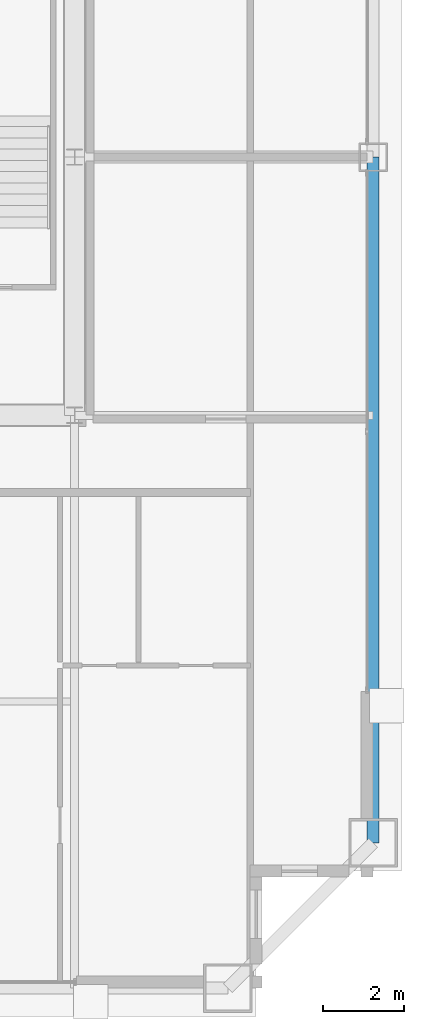
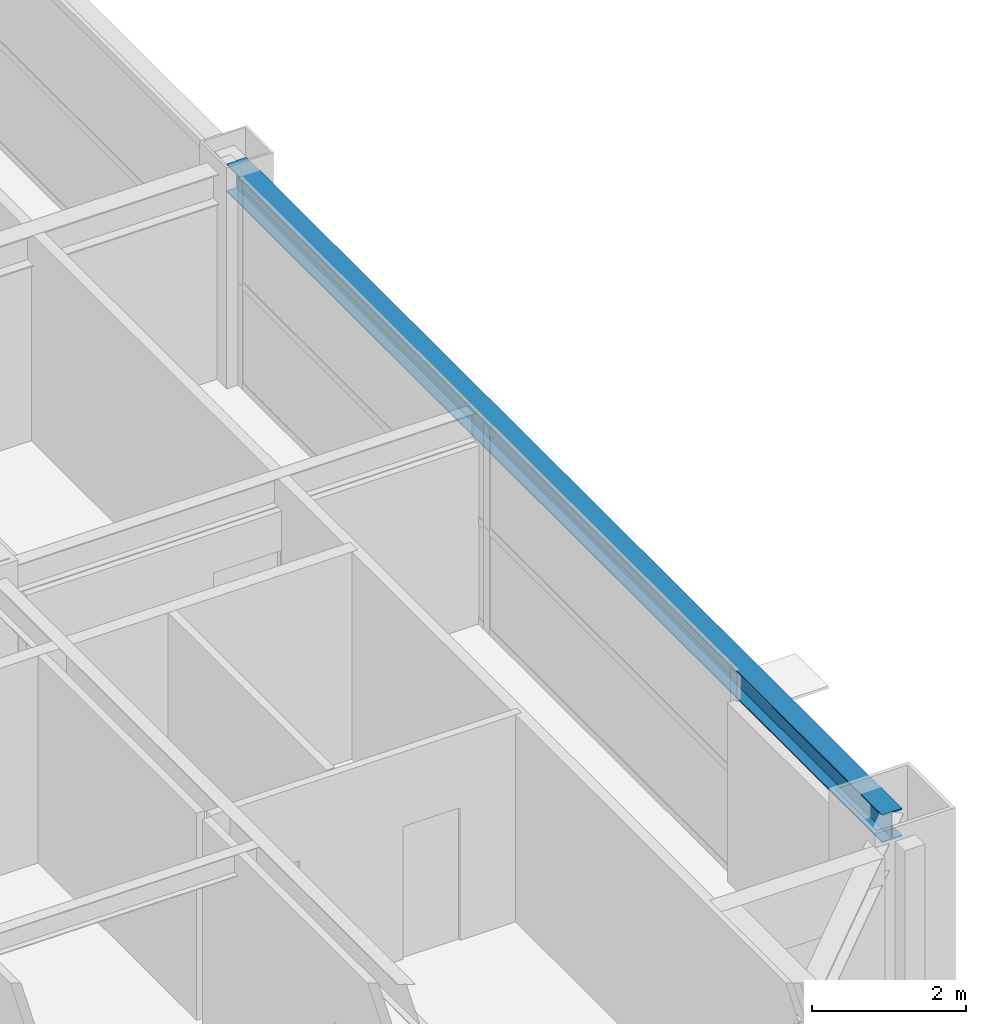
# One storey, part 18 of 36: 1 beam.
"""IFC4 building model written with IfcOpenShell, lengths in metres."""

from ifc_helpers import new_model, si_unit, direction, frame, origin, origin_2d, place, context, subcontext, project, spatial, i_section, extrude, source, transform, mapped, material, material_profile, profile_set, type_object, element, save


model = new_model("IFC4")

# Units and contexts
model_context = context("Model", 3, precision=1e-05, world=origin(), true_north=direction((0.0, 1.0)))
body_context = subcontext(model_context, "Body", "Model", "MODEL_VIEW")
ifc_project = project(units=[si_unit("LENGTHUNIT", "METRE"), si_unit("AREAUNIT", "SQUARE_METRE"), si_unit("VOLUMEUNIT", "CUBIC_METRE"), si_unit("PLANEANGLEUNIT", "RADIAN"), si_unit("MASSUNIT", "GRAM", prefix="KILO"), si_unit("THERMODYNAMICTEMPERATUREUNIT", "KELVIN"), si_unit("POWERUNIT", "WATT")], contexts=[model_context])

# Site, building, storey
site_placement = place(None, origin())
site = spatial("IfcSite", under=ifc_project, at=site_placement, CompositionType="ELEMENT")
building_placement = place(site_placement, origin())
building = spatial("IfcBuilding", under=site, at=building_placement, Name="Yuzanri Waterfront Tower", CompositionType="ELEMENT")
storey_placement = place(building_placement, frame((0.0, 0.0, 231.10009765625)))
storey = spatial("IfcBuildingStorey", under=building, at=storey_placement, Name="L61", CompositionType="ELEMENT", Elevation=231.10009765625)

# Beam
ifc_material = material(Name="Steel Q355B", Category="steel")
ifc_material_profile = material_profile(ifc_material, i_section(OverallWidth=0.300048828125, OverallDepth=0.43994140625, WebThickness=0.010986328125, FlangeThickness=0.01806640625, at=origin_2d()), Name="HM 440x300x11x18")
ifc_profile_set = profile_set([ifc_material_profile], Name="Steel Q355B")
beam_type = type_object("IfcBeamType", Name="Perimeter Spandrel Q355B HM 440x300", PredefinedType="SPANDREL", material=ifc_profile_set)
shared_shape = source(origin(), body_context, "Body", "SweptSolid", [
    extrude(i_section(OverallWidth=0.300048828125, OverallDepth=0.43994140625, WebThickness=0.010986328125, FlangeThickness=0.01806640625, at=origin_2d()), origin(), (0.0, 0.0, 1.0), 17.0),
])
beam_placement = place(storey_placement, frame((57.60009765625, 8.800048828125, 3.059814453125), z_axis=(0.0, 1.0, 0.0), x_axis=(-1.0, 0.0, 0.0)))
element("IfcBeam", 1, at=beam_placement, inside=storey, type_object=beam_type, Name="L61 Perimeter Spandrel E1-E2", PredefinedType="SPANDREL", context=body_context, shape_type="MappedRepresentation", body=[
    mapped(shared_shape, transform((0.0, 0.0, 0.0), scale=1.0)),
])

save(model, "model.ifc")
